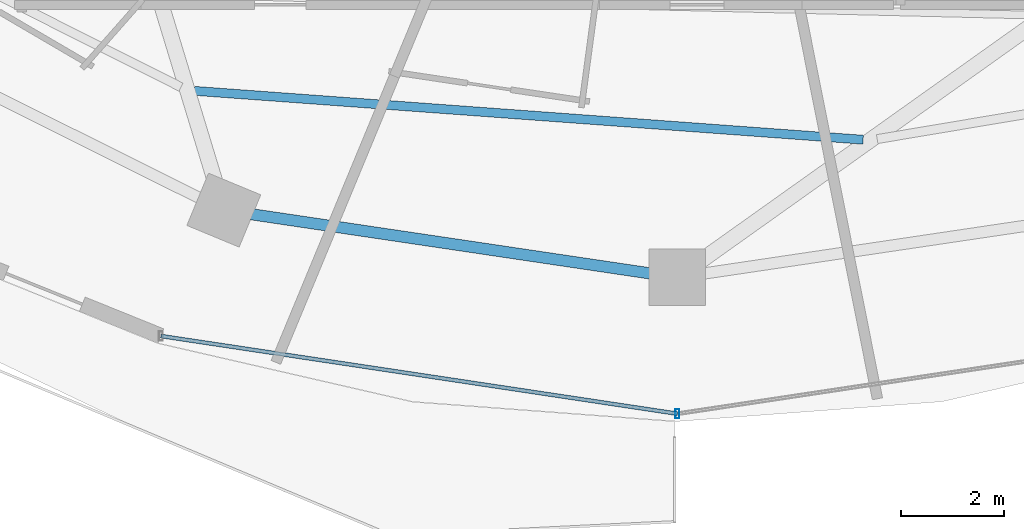
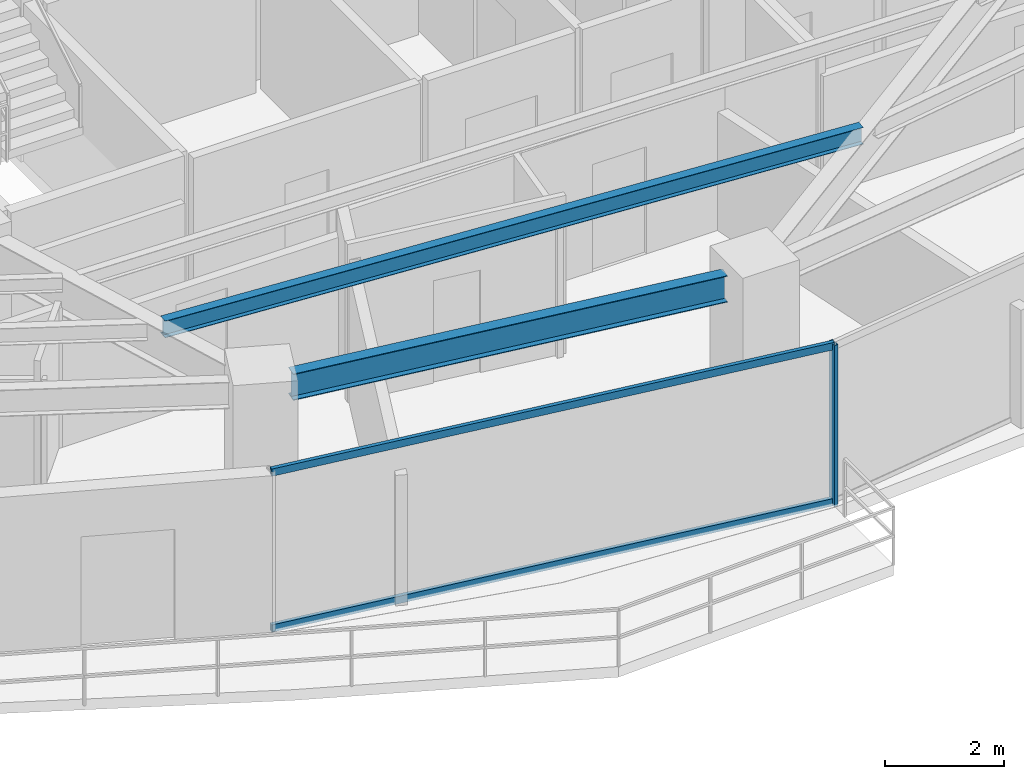
# One storey, part 5 of 30: 3 members, 2 beams, 1 element without a shape of its own.
"""IFC4 building model written with IfcOpenShell, lengths in metres."""

from ifc_helpers import new_model, si_unit, direction, frame, origin, origin_2d, place, context, subcontext, project, spatial, hollow_rectangle, i_section, extrude, material, material_profile, profile_set, type_object, element, aggregate, save


model = new_model("IFC4")

# Units and contexts
model_context = context("Model", 3, precision=1e-05, world=origin(), true_north=direction((0.0, 1.0)))
body_context = subcontext(model_context, "Body", "Model", "MODEL_VIEW")
ifc_project = project(units=[si_unit("LENGTHUNIT", "METRE"), si_unit("AREAUNIT", "SQUARE_METRE"), si_unit("VOLUMEUNIT", "CUBIC_METRE"), si_unit("PLANEANGLEUNIT", "RADIAN"), si_unit("MASSUNIT", "GRAM", prefix="KILO")], contexts=[model_context])

# Site, building, storey
site_placement = place(None, origin())
site = spatial("IfcSite", under=ifc_project, at=site_placement, CompositionType="ELEMENT")
building_placement = place(site_placement, origin())
building = spatial("IfcBuilding", under=site, at=building_placement, Name="Vorneva Point Tower", CompositionType="ELEMENT")
storey_placement = place(building_placement, frame((0.0, 0.0, 78.800048828125)))
storey = spatial("IfcBuildingStorey", under=building, at=storey_placement, Name="L20", CompositionType="ELEMENT", Elevation=78.800048828125)

# Beams
ifc_material_1 = material(Name="Steel S355", Category="steel")
ifc_material_profile_1 = material_profile(ifc_material_1, i_section(OverallWidth=0.174072265625, OverallDepth=0.345947265625, WebThickness=0.006103515625, FlangeThickness=0.009033203125, at=origin_2d()), Name="35B1")
ifc_profile_set_1 = profile_set([ifc_material_profile_1], Name="Steel S355")
beam_type_1 = type_object("IfcBeamType", Name="BM-SEC-35B1", PredefinedType="BEAM", material=ifc_profile_set_1)
beam_1_placement = place(storey_placement, frame((28.60791015625, 12.42919921875, 3.06689453125), z_axis=(0.997338408096, -0.072911588494, 0.0), x_axis=(0.072911588494, 0.997338408096, 0.0)))
element("IfcBeam", 1, at=beam_1_placement, inside=storey, type_object=beam_type_1, Name="L20 Secondary Floor Beam 1.12", PredefinedType="BEAM", context=body_context, shape_type="SweptSolid", body=[
    extrude(i_section(OverallWidth=0.174072265625, OverallDepth=0.345947265625, WebThickness=0.006103515625, FlangeThickness=0.009033203125, at=origin_2d()), origin(), (0.0, 0.0, 1.0), 13.038818359375),
])
ifc_material_profile_2 = material_profile(ifc_material_1, i_section(OverallWidth=0.219970703125, OverallDepth=0.54296875, WebThickness=0.009521484375, FlangeThickness=0.013427734375, at=origin_2d()), Name="55B1")
ifc_profile_set_2 = profile_set([ifc_material_profile_2], Name="Steel S355")
beam_type_2 = type_object("IfcBeamType", Name="BM-SPN-55B1", PredefinedType="SPANDREL", material=ifc_profile_set_2)
beam_2_placement = place(storey_placement, frame((29.708251953125, 10.03076171875, 2.968505859375), z_axis=(0.989164507783, -0.146811363806, 0.0), x_axis=(0.146811363806, 0.989164507783, 0.0)))
element("IfcBeam", 2, at=beam_2_placement, inside=storey, type_object=beam_type_2, Name="L20 Perimeter Spandrel Ring Beam 12", PredefinedType="SPANDREL", context=body_context, shape_type="SweptSolid", body=[
    extrude(i_section(OverallWidth=0.219970703125, OverallDepth=0.54296875, WebThickness=0.009521484375, FlangeThickness=0.013427734375, at=origin_2d()), origin(), (0.0, 0.0, 1.0), 7.847412109375),
])

# Curtain wall, members
ifc_material_2 = material(Name="Pale anodised aluminium", Category="aluminium")
curtain_wall_type = type_object("IfcCurtainWallType", Name="CW-HTL-SYS", PredefinedType="NOTDEFINED", material=ifc_material_2)
curtain_wall_placement = place(storey_placement, origin())
curtain_wall = element("IfcCurtainWall", 3, at=curtain_wall_placement, inside=storey, type_object=curtain_wall_type, Name="L20 Unitised Curtain Wall CW-L20-R03", PredefinedType="NOTDEFINED")
ifc_material_profile_3 = material_profile(ifc_material_2, hollow_rectangle(XDim=0.074951171875, YDim=0.179931640625, WallThickness=0.00390625, at=origin_2d()), Name="AL-MUL 180x75x4")
ifc_profile_set_3 = profile_set([ifc_material_profile_3], Name="Pale anodised aluminium")
member_type_1 = type_object("IfcMemberType", Name="CW-MUL-180", PredefinedType="MULLION", material=ifc_profile_set_3)
member_1_placement = place(storey_placement, frame((38.0, 6.14990234375, -0.0400390625), z_axis=(0.0, 0.0, 1.0), x_axis=(1.0, 0.0, 0.0)))
member_1 = element("IfcMember", 4, at=member_1_placement, type_object=member_type_1, Name="CW-L20-R03 Mullion 02", PredefinedType="MULLION", context=body_context, shape_type="SweptSolid", body=[
    extrude(hollow_rectangle(XDim=0.074951171875, YDim=0.179931640625, WallThickness=0.00390625, at=origin_2d()), origin(), (0.0, 0.0, 1.0), 3.31005859375),
])
ifc_material_profile_4 = material_profile(ifc_material_2, hollow_rectangle(XDim=0.074951171875, YDim=0.14990234375, WallThickness=0.00390625, at=origin_2d()), Name="AL-TRN 150x75x4")
ifc_profile_set_4 = profile_set([ifc_material_profile_4], Name="Pale anodised aluminium")
member_type_2 = type_object("IfcMemberType", Name="CW-TRN-150", PredefinedType="USERDEFINED", material=ifc_profile_set_4)
member_2_placement = place(storey_placement, frame((27.95458984375, 7.660888671875, 0.02001953125), z_axis=(0.988875982167, -0.148742367512, 0.0), x_axis=(0.148742367512, 0.988875982167, 0.0)))
member_2 = element("IfcMember", 5, at=member_2_placement, type_object=member_type_2, Name="CW-L20-R03 Transom 01.1", ObjectType="TRANSOM", PredefinedType="USERDEFINED", context=body_context, shape_type="SweptSolid", body=[
    extrude(hollow_rectangle(XDim=0.074951171875, YDim=0.14990234375, WallThickness=0.00390625, at=origin_2d()), origin(), (0.0, 0.0, 1.0), 10.158447265625),
])
member_3_placement = place(storey_placement, frame((27.95458984375, 7.660888671875, 3.219970703125), z_axis=(0.988875982167, -0.148742367512, 0.0), x_axis=(0.148742367512, 0.988875982167, 0.0)))
member_3 = element("IfcMember", 6, at=member_3_placement, type_object=member_type_2, Name="CW-L20-R03 Transom 01.2", ObjectType="TRANSOM", PredefinedType="USERDEFINED", context=body_context, shape_type="SweptSolid", body=[
    extrude(hollow_rectangle(XDim=0.074951171875, YDim=0.14990234375, WallThickness=0.00390625, at=origin_2d()), origin(), (0.0, 0.0, 1.0), 10.158447265625),
])
aggregate(curtain_wall, [member_1, member_2, member_3])

save(model, "model.ifc")
